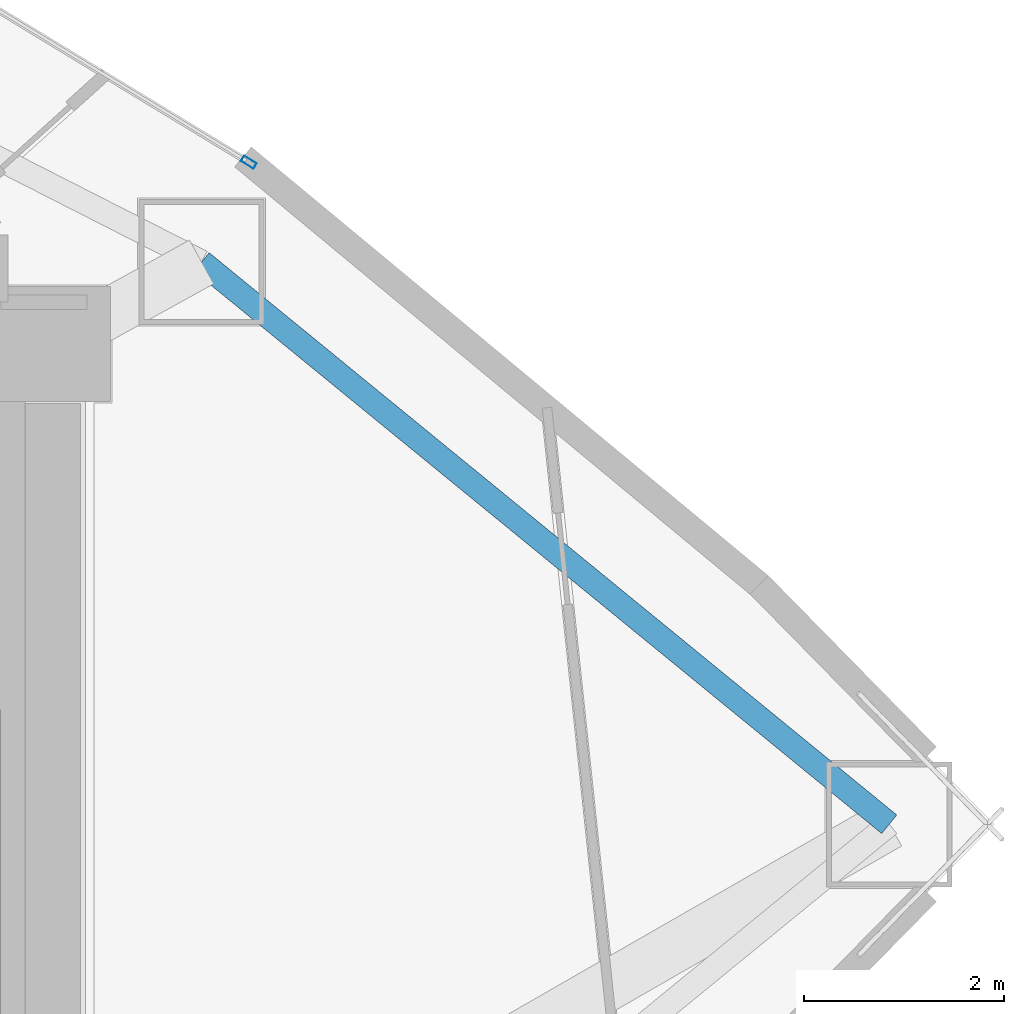
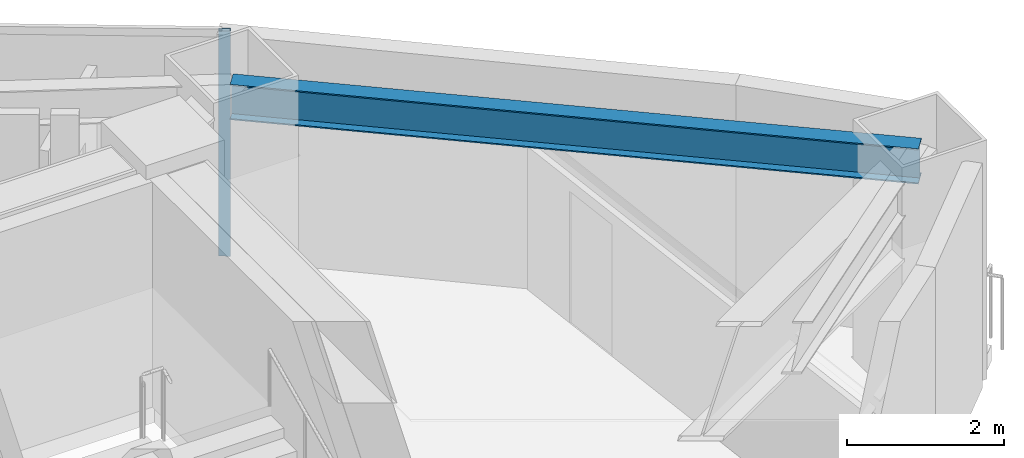
# One storey, part 11 of 17: 1 beam, 1 member, 1 element without a shape of its own.
"""IFC4 building model written with IfcOpenShell, lengths in metres."""

from ifc_helpers import new_model, si_unit, direction, frame, origin, origin_2d, place, context, subcontext, project, spatial, hollow_rectangle, i_section, extrude, material, layer, layer_set, material_profile, profile_set, type_object, element, aggregate, save


model = new_model("IFC4")

# Units and contexts
model_context = context("Model", 3, precision=1e-05, world=origin(), true_north=direction((0.0, 1.0)))
body_context = subcontext(model_context, "Body", "Model", "MODEL_VIEW")
ifc_project = project(units=[si_unit("LENGTHUNIT", "METRE"), si_unit("AREAUNIT", "SQUARE_METRE"), si_unit("VOLUMEUNIT", "CUBIC_METRE"), si_unit("PLANEANGLEUNIT", "RADIAN"), si_unit("MASSUNIT", "GRAM", prefix="KILO")], contexts=[model_context])

# Site, building, storey
site_placement = place(None, origin())
site = spatial("IfcSite", under=ifc_project, at=site_placement, CompositionType="ELEMENT")
building_placement = place(site_placement, origin())
building = spatial("IfcBuilding", under=site, at=building_placement, Name="Menara Vayukalpa", CompositionType="ELEMENT")
storey_placement = place(building_placement, frame((0.0, 0.0, 133.739990234375)))
storey = spatial("IfcBuildingStorey", under=building, at=storey_placement, Name="L33", CompositionType="ELEMENT", Elevation=133.739990234375)

# Beam
ifc_material_1 = material(Name="Steel S355", Category="steel")
ifc_material_profile_1 = material_profile(ifc_material_1, i_section(OverallWidth=0.239990234375, OverallDepth=0.550048828125, WebThickness=0.010986328125, FlangeThickness=0.01904296875, at=origin_2d()), Name="WF 550x240x11x19")
ifc_profile_set_1 = profile_set([ifc_material_profile_1], Name="Steel S355")
beam_type = type_object("IfcBeamType", Name="BM-SP2", PredefinedType="SPANDREL", material=ifc_profile_set_1)
beam_placement = place(storey_placement, frame((41.761962890625, 22.0, 3.22509765625), z_axis=(-0.774156906301, 0.632993747541, 0.0), x_axis=(-0.632993747541, -0.774156906301, 0.0)))
element("IfcBeam", 1, at=beam_placement, inside=storey, type_object=beam_type, Name="L33 Perimeter Spandrel Beam SP01", PredefinedType="SPANDREL", context=body_context, shape_type="SweptSolid", body=[
    extrude(i_section(OverallWidth=0.239990234375, OverallDepth=0.550048828125, WebThickness=0.010986328125, FlangeThickness=0.01904296875, at=origin_2d()), origin(), (0.0, 0.0, 1.0), 8.880859375),
])

# Curtain wall, member
ifc_material_2 = material(Name="Anodised Terracotta Aluminium Alloy 6063-T6", Category="masonry")
ifc_layer = layer(ifc_material_2, 0.14990234375)
ifc_layer_set = layer_set([ifc_layer], Name="Anodised Terracotta Aluminium Alloy 6063-T6")
curtain_wall_type = type_object("IfcCurtainWallType", Name="CW-CW3", PredefinedType="USERDEFINED", material=ifc_layer_set)
curtain_wall_placement = place(storey_placement, origin())
curtain_wall = element("IfcCurtainWall", 2, at=curtain_wall_placement, inside=storey, type_object=curtain_wall_type, Name="L33 Mid Rise Terracotta Ribbon Curtain Wall CW3 04", ObjectType="UNITISED", PredefinedType="USERDEFINED")
ifc_material_3 = material(Name="Anodised Terracotta Aluminium Alloy 6063-T6", Category="masonry")
ifc_material_profile_2 = material_profile(ifc_material_3, hollow_rectangle(XDim=0.06494140625, YDim=0.14990234375, WallThickness=0.00341796875, at=origin_2d()), Name="ALU 65x150x3.5")
ifc_profile_set_2 = profile_set([ifc_material_profile_2], Name="Anodised Terracotta Aluminium Alloy 6063-T6")
member_type = type_object("IfcMemberType", Name="CWM-CW3", PredefinedType="MULLION", material=ifc_profile_set_2)
member_placement = place(storey_placement, frame((35.358154296875, 28.61865234375, 0.0), z_axis=(0.0, 0.0, 1.0), x_axis=(-0.519182959112, -0.854663123674, 0.0)))
member = element("IfcMember", 3, at=member_placement, type_object=member_type, Name="CW3 mullion 1", PredefinedType="MULLION", context=body_context, shape_type="SweptSolid", body=[
    extrude(hollow_rectangle(XDim=0.06494140625, YDim=0.14990234375, WallThickness=0.00341796875, at=origin_2d()), origin(), (0.0, 0.0, 1.0), 3.5),
])
aggregate(curtain_wall, [member])

save(model, "model.ifc")
